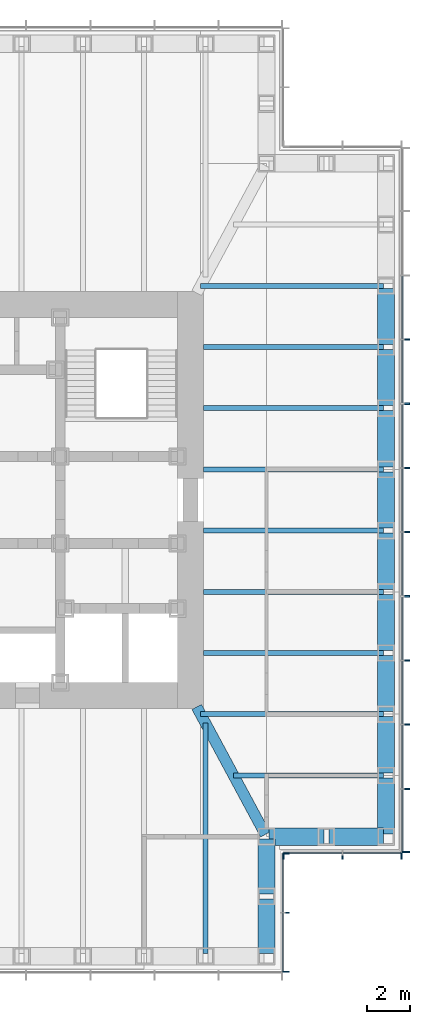
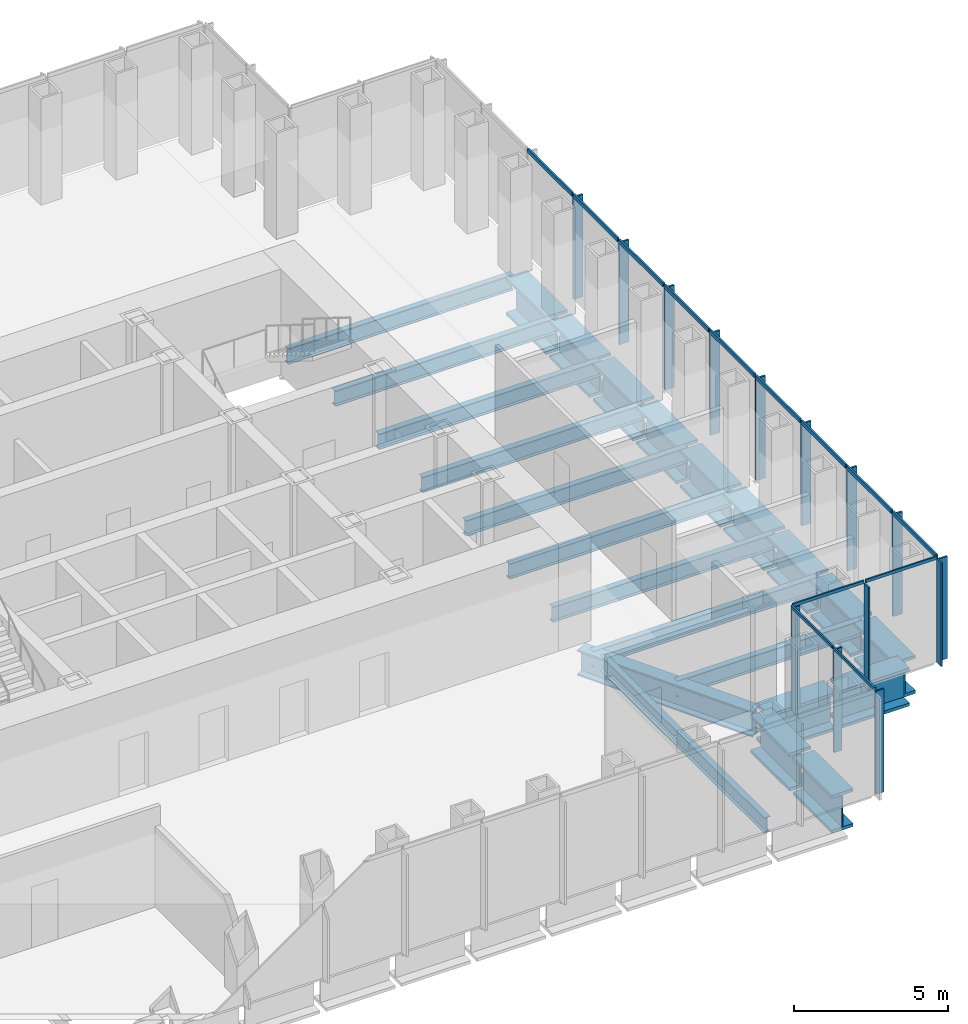
# One storey, part 4 of 16: 28 members, 24 beams, 3 elements without a shape of their own.
"""IFC4 building model written with IfcOpenShell, lengths in metres."""

from ifc_helpers import new_model, si_unit, direction, frame, origin, origin_2d, place, context, subcontext, project, spatial, rectangle, i_section, extrude, material, material_profile, profile_set, type_object, element, aggregate, save


model = new_model("IFC4")

# Units and contexts
model_context = context("Model", 3, precision=1e-05, world=origin(), true_north=direction((0.0, 1.0)))
body_context = subcontext(model_context, "Body", "Model", "MODEL_VIEW")
ifc_project = project(units=[si_unit("LENGTHUNIT", "METRE"), si_unit("AREAUNIT", "SQUARE_METRE"), si_unit("VOLUMEUNIT", "CUBIC_METRE"), si_unit("PLANEANGLEUNIT", "RADIAN"), si_unit("MASSUNIT", "GRAM", prefix="KILO")], contexts=[model_context])

# Site, building, storey
site_placement = place(None, origin())
site = spatial("IfcSite", under=ifc_project, at=site_placement, CompositionType="ELEMENT")
building_placement = place(site_placement, origin())
building = spatial("IfcBuilding", under=site, at=building_placement, Name="Daluyong Arena Tower", CompositionType="ELEMENT")
storey_placement = place(building_placement, frame((0.0, 0.0, 240.10009765625)))
storey = spatial("IfcBuildingStorey", under=building, at=storey_placement, Name="L54", CompositionType="ELEMENT", Elevation=240.10009765625)

# Curtain wall, members
ifc_material_1 = material(Name="Bronze anodised aluminium and glass", Category="aluminium")
curtain_wall_type_1 = type_object("IfcCurtainWallType", Name="Curtain wall CW3", PredefinedType="USERDEFINED", material=ifc_material_1)
curtain_wall_1_placement = place(storey_placement, origin())
curtain_wall_1 = element("IfcCurtainWall", 1, at=curtain_wall_1_placement, inside=storey, type_object=curtain_wall_type_1, Name="curtain wall L54 E", ObjectType="UNITISED CURTAIN WALL", PredefinedType="USERDEFINED")
ifc_material_2 = material(Name="Bronze anodised aluminium fin", Category="aluminium")
ifc_material_profile_1 = material_profile(ifc_material_2, rectangle(XDim=0.35009765625, YDim=0.070068359375, at=origin_2d()))
ifc_profile_set_1 = profile_set([ifc_material_profile_1], Name="Bronze anodised aluminium fin")
member_type_1 = type_object("IfcMemberType", Name="CW3 bronze fin 350x70", PredefinedType="MULLION", material=ifc_profile_set_1)
member_1_placement = place(storey_placement, frame((77.925048828125, 63.784912109375, 0.0), z_axis=(0.0, 0.0, 1.0), x_axis=(-1.0, 0.0, 0.0)))
member_1 = element("IfcMember", 2, at=member_1_placement, type_object=member_type_1, Name="curtain wall L54 E fin 1", PredefinedType="MULLION", context=body_context, shape_type="SweptSolid", body=[
    extrude(rectangle(XDim=0.35009765625, YDim=0.070068359375, at=origin_2d()), origin(), (0.0, 0.0, 1.0), 4.039794921875),
])
member_2_placement = place(storey_placement, frame((77.925048828125, 66.70458984375, 0.0), z_axis=(0.0, 0.0, 1.0), x_axis=(-1.0, 0.0, 0.0)))
member_2 = element("IfcMember", 3, at=member_2_placement, type_object=member_type_1, Name="curtain wall L54 E fin 2", PredefinedType="MULLION", context=body_context, shape_type="SweptSolid", body=[
    extrude(rectangle(XDim=0.35009765625, YDim=0.070068359375, at=origin_2d()), origin(), (0.0, 0.0, 1.0), 4.039794921875),
])
member_3_placement = place(storey_placement, frame((77.925048828125, 69.6591796875, 0.0), z_axis=(0.0, 0.0, 1.0), x_axis=(-1.0, 0.0, 0.0)))
member_3 = element("IfcMember", 4, at=member_3_placement, type_object=member_type_1, Name="curtain wall L54 E fin 3", PredefinedType="MULLION", context=body_context, shape_type="SweptSolid", body=[
    extrude(rectangle(XDim=0.35009765625, YDim=0.070068359375, at=origin_2d()), origin(), (0.0, 0.0, 1.0), 4.039794921875),
])
member_4_placement = place(storey_placement, frame((77.925048828125, 72.613525390625, 0.0), z_axis=(0.0, 0.0, 1.0), x_axis=(-1.0, 0.0, 0.0)))
member_4 = element("IfcMember", 5, at=member_4_placement, type_object=member_type_1, Name="curtain wall L54 E fin 4", PredefinedType="MULLION", context=body_context, shape_type="SweptSolid", body=[
    extrude(rectangle(XDim=0.35009765625, YDim=0.070068359375, at=origin_2d()), origin(), (0.0, 0.0, 1.0), 4.039794921875),
])
member_5_placement = place(storey_placement, frame((77.925048828125, 75.568115234375, 0.0), z_axis=(0.0, 0.0, 1.0), x_axis=(-1.0, 0.0, 0.0)))
member_5 = element("IfcMember", 6, at=member_5_placement, type_object=member_type_1, Name="curtain wall L54 E fin 5", PredefinedType="MULLION", context=body_context, shape_type="SweptSolid", body=[
    extrude(rectangle(XDim=0.35009765625, YDim=0.070068359375, at=origin_2d()), origin(), (0.0, 0.0, 1.0), 4.039794921875),
])
member_6_placement = place(storey_placement, frame((77.925048828125, 78.522705078125, 0.0), z_axis=(0.0, 0.0, 1.0), x_axis=(-1.0, 0.0, 0.0)))
member_6 = element("IfcMember", 7, at=member_6_placement, type_object=member_type_1, Name="curtain wall L54 E fin 6", PredefinedType="MULLION", context=body_context, shape_type="SweptSolid", body=[
    extrude(rectangle(XDim=0.35009765625, YDim=0.070068359375, at=origin_2d()), origin(), (0.0, 0.0, 1.0), 4.039794921875),
])
member_7_placement = place(storey_placement, frame((77.925048828125, 81.477294921875, 0.0), z_axis=(0.0, 0.0, 1.0), x_axis=(-1.0, 0.0, 0.0)))
member_7 = element("IfcMember", 8, at=member_7_placement, type_object=member_type_1, Name="curtain wall L54 E fin 7", PredefinedType="MULLION", context=body_context, shape_type="SweptSolid", body=[
    extrude(rectangle(XDim=0.35009765625, YDim=0.070068359375, at=origin_2d()), origin(), (0.0, 0.0, 1.0), 4.039794921875),
])
member_8_placement = place(storey_placement, frame((77.925048828125, 84.431884765625, 0.0), z_axis=(0.0, 0.0, 1.0), x_axis=(-1.0, 0.0, 0.0)))
member_8 = element("IfcMember", 9, at=member_8_placement, type_object=member_type_1, Name="curtain wall L54 E fin 8", PredefinedType="MULLION", context=body_context, shape_type="SweptSolid", body=[
    extrude(rectangle(XDim=0.35009765625, YDim=0.070068359375, at=origin_2d()), origin(), (0.0, 0.0, 1.0), 4.039794921875),
])
member_9_placement = place(storey_placement, frame((77.925048828125, 87.386474609375, 0.0), z_axis=(0.0, 0.0, 1.0), x_axis=(-1.0, 0.0, 0.0)))
member_9 = element("IfcMember", 10, at=member_9_placement, type_object=member_type_1, Name="curtain wall L54 E fin 9", PredefinedType="MULLION", context=body_context, shape_type="SweptSolid", body=[
    extrude(rectangle(XDim=0.35009765625, YDim=0.070068359375, at=origin_2d()), origin(), (0.0, 0.0, 1.0), 4.039794921875),
])
ifc_material_3 = material(Name="Bronze anodised aluminium", Category="aluminium")
ifc_material_profile_2 = material_profile(ifc_material_3, rectangle(XDim=0.070068359375, YDim=0.159912109375, at=origin_2d()))
ifc_profile_set_2 = profile_set([ifc_material_profile_2], Name="Bronze anodised aluminium")
member_type_2 = type_object("IfcMemberType", Name="CW3 stack transom 160x70", PredefinedType="USERDEFINED", material=ifc_profile_set_2)
member_10_placement = place(storey_placement, frame((77.75, 63.820068359375, 4.119873046875), z_axis=(0.0, 1.0, 0.0), x_axis=(-1.0, 0.0, 0.0)))
member_10 = element("IfcMember", 11, at=member_10_placement, type_object=member_type_2, Name="curtain wall L54 E transom 1", ObjectType="TRANSOM", PredefinedType="USERDEFINED", context=body_context, shape_type="SweptSolid", body=[
    extrude(rectangle(XDim=0.070068359375, YDim=0.159912109375, at=origin_2d()), origin(), (0.0, 0.0, 1.0), 2.849365234375),
])
member_11_placement = place(storey_placement, frame((77.75, 66.739501953125, 4.119873046875), z_axis=(0.0, 1.0, 0.0), x_axis=(-1.0, 0.0, 0.0)))
member_11 = element("IfcMember", 12, at=member_11_placement, type_object=member_type_2, Name="curtain wall L54 E transom 2", ObjectType="TRANSOM", PredefinedType="USERDEFINED", context=body_context, shape_type="SweptSolid", body=[
    extrude(rectangle(XDim=0.070068359375, YDim=0.159912109375, at=origin_2d()), origin(), (0.0, 0.0, 1.0), 2.884521484375),
])
member_12_placement = place(storey_placement, frame((77.75, 69.694091796875, 4.119873046875), z_axis=(0.0, 1.0, 0.0), x_axis=(-1.0, 0.0, 0.0)))
member_12 = element("IfcMember", 13, at=member_12_placement, type_object=member_type_2, Name="curtain wall L54 E transom 3", ObjectType="TRANSOM", PredefinedType="USERDEFINED", context=body_context, shape_type="SweptSolid", body=[
    extrude(rectangle(XDim=0.070068359375, YDim=0.159912109375, at=origin_2d()), origin(), (0.0, 0.0, 1.0), 2.884521484375),
])
member_13_placement = place(storey_placement, frame((77.75, 72.648681640625, 4.119873046875), z_axis=(0.0, 1.0, 0.0), x_axis=(-1.0, 0.0, 0.0)))
member_13 = element("IfcMember", 14, at=member_13_placement, type_object=member_type_2, Name="curtain wall L54 E transom 4", ObjectType="TRANSOM", PredefinedType="USERDEFINED", context=body_context, shape_type="SweptSolid", body=[
    extrude(rectangle(XDim=0.070068359375, YDim=0.159912109375, at=origin_2d()), origin(), (0.0, 0.0, 1.0), 2.884521484375),
])
member_14_placement = place(storey_placement, frame((77.75, 75.603271484375, 4.119873046875), z_axis=(0.0, 1.0, 0.0), x_axis=(-1.0, 0.0, 0.0)))
member_14 = element("IfcMember", 15, at=member_14_placement, type_object=member_type_2, Name="curtain wall L54 E transom 5", ObjectType="TRANSOM", PredefinedType="USERDEFINED", context=body_context, shape_type="SweptSolid", body=[
    extrude(rectangle(XDim=0.070068359375, YDim=0.159912109375, at=origin_2d()), origin(), (0.0, 0.0, 1.0), 2.884521484375),
])
member_15_placement = place(storey_placement, frame((77.75, 78.5576171875, 4.119873046875), z_axis=(0.0, 1.0, 0.0), x_axis=(-1.0, 0.0, 0.0)))
member_15 = element("IfcMember", 16, at=member_15_placement, type_object=member_type_2, Name="curtain wall L54 E transom 6", ObjectType="TRANSOM", PredefinedType="USERDEFINED", context=body_context, shape_type="SweptSolid", body=[
    extrude(rectangle(XDim=0.070068359375, YDim=0.159912109375, at=origin_2d()), origin(), (0.0, 0.0, 1.0), 2.884765625),
])
member_16_placement = place(storey_placement, frame((77.75, 81.51220703125, 4.119873046875), z_axis=(0.0, 1.0, 0.0), x_axis=(-1.0, 0.0, 0.0)))
member_16 = element("IfcMember", 17, at=member_16_placement, type_object=member_type_2, Name="curtain wall L54 E transom 7", ObjectType="TRANSOM", PredefinedType="USERDEFINED", context=body_context, shape_type="SweptSolid", body=[
    extrude(rectangle(XDim=0.070068359375, YDim=0.159912109375, at=origin_2d()), origin(), (0.0, 0.0, 1.0), 2.884521484375),
])
member_17_placement = place(storey_placement, frame((77.75, 84.466796875, 4.119873046875), z_axis=(0.0, 1.0, 0.0), x_axis=(-1.0, 0.0, 0.0)))
member_17 = element("IfcMember", 18, at=member_17_placement, type_object=member_type_2, Name="curtain wall L54 E transom 8", ObjectType="TRANSOM", PredefinedType="USERDEFINED", context=body_context, shape_type="SweptSolid", body=[
    extrude(rectangle(XDim=0.070068359375, YDim=0.159912109375, at=origin_2d()), origin(), (0.0, 0.0, 1.0), 2.884521484375),
])
member_18_placement = place(storey_placement, frame((77.75, 87.42138671875, 4.119873046875), z_axis=(0.0, 1.0, 0.0), x_axis=(-1.0, 0.0, 0.0)))
member_18 = element("IfcMember", 19, at=member_18_placement, type_object=member_type_2, Name="curtain wall L54 E transom 9", ObjectType="TRANSOM", PredefinedType="USERDEFINED", context=body_context, shape_type="SweptSolid", body=[
    extrude(rectangle(XDim=0.070068359375, YDim=0.159912109375, at=origin_2d()), origin(), (0.0, 0.0, 1.0), 2.884521484375),
])
aggregate(curtain_wall_1, [member_1, member_2, member_3, member_4, member_5, member_6, member_7, member_8, member_9, member_10, member_11, member_12, member_13, member_14, member_15, member_16, member_17, member_18])

ifc_material_4 = material(Name="Bronze anodised aluminium and glass", Category="aluminium")
curtain_wall_type_2 = type_object("IfcCurtainWallType", Name="Curtain wall CW7", PredefinedType="USERDEFINED", material=ifc_material_4)
curtain_wall_2_placement = place(storey_placement, origin())
curtain_wall_2 = element("IfcCurtainWall", 20, at=curtain_wall_2_placement, inside=storey, type_object=curtain_wall_type_2, Name="curtain wall L54 SE-E", ObjectType="UNITISED CURTAIN WALL", PredefinedType="USERDEFINED")
ifc_material_5 = material(Name="Bronze anodised aluminium fin", Category="aluminium")
ifc_material_profile_3 = material_profile(ifc_material_5, rectangle(XDim=0.300048828125, YDim=0.06005859375, at=origin_2d()))
ifc_profile_set_3 = profile_set([ifc_material_profile_3], Name="Bronze anodised aluminium fin")
member_type_3 = type_object("IfcMemberType", Name="CW7 bronze fin 300x60", PredefinedType="MULLION", material=ifc_profile_set_3)
member_19_placement = place(storey_placement, frame((72.39990234375, 58.280029296875, 0.0), z_axis=(0.0, 0.0, 1.0), x_axis=(-1.0, 0.0, 0.0)))
member_19 = element("IfcMember", 21, at=member_19_placement, type_object=member_type_3, Name="curtain wall L54 SE-E fin 1", PredefinedType="MULLION", context=body_context, shape_type="SweptSolid", body=[
    extrude(rectangle(XDim=0.300048828125, YDim=0.06005859375, at=origin_2d()), origin(), (0.0, 0.0, 1.0), 4.079833984375),
])
member_20_placement = place(storey_placement, frame((72.39990234375, 61.0, 0.0), z_axis=(0.0, 0.0, 1.0), x_axis=(-1.0, 0.0, 0.0)))
member_20 = element("IfcMember", 22, at=member_20_placement, type_object=member_type_3, Name="curtain wall L54 SE-E fin 2", PredefinedType="MULLION", context=body_context, shape_type="SweptSolid", body=[
    extrude(rectangle(XDim=0.300048828125, YDim=0.06005859375, at=origin_2d()), origin(), (0.0, 0.0, 1.0), 4.079833984375),
])
member_21_placement = place(storey_placement, frame((72.39990234375, 63.719970703125, 0.0), z_axis=(0.0, 0.0, 1.0), x_axis=(-1.0, 0.0, 0.0)))
member_21 = element("IfcMember", 23, at=member_21_placement, type_object=member_type_3, Name="curtain wall L54 SE-E fin 3", PredefinedType="MULLION", context=body_context, shape_type="SweptSolid", body=[
    extrude(rectangle(XDim=0.300048828125, YDim=0.06005859375, at=origin_2d()), origin(), (0.0, 0.0, 1.0), 4.079833984375),
])

curtain_wall_3_placement = place(storey_placement, origin())
curtain_wall_3 = element("IfcCurtainWall", 24, at=curtain_wall_3_placement, inside=storey, type_object=curtain_wall_type_2, Name="curtain wall L54 SE-S", ObjectType="UNITISED CURTAIN WALL", PredefinedType="USERDEFINED")
member_22_placement = place(storey_placement, frame((72.280029296875, 63.60009765625, 0.0), z_axis=(0.0, 0.0, 1.0), x_axis=(0.0, 1.0, 0.0)))
member_22 = element("IfcMember", 25, at=member_22_placement, type_object=member_type_3, Name="curtain wall L54 SE-S fin 1", PredefinedType="MULLION", context=body_context, shape_type="SweptSolid", body=[
    extrude(rectangle(XDim=0.300048828125, YDim=0.06005859375, at=origin_2d()), origin(), (0.0, 0.0, 1.0), 4.079833984375),
])
member_23_placement = place(storey_placement, frame((75.0, 63.60009765625, 0.0), z_axis=(0.0, 0.0, 1.0), x_axis=(0.0, 1.0, 0.0)))
member_23 = element("IfcMember", 26, at=member_23_placement, type_object=member_type_3, Name="curtain wall L54 SE-S fin 2", PredefinedType="MULLION", context=body_context, shape_type="SweptSolid", body=[
    extrude(rectangle(XDim=0.300048828125, YDim=0.06005859375, at=origin_2d()), origin(), (0.0, 0.0, 1.0), 4.079833984375),
])
member_24_placement = place(storey_placement, frame((77.719970703125, 63.60009765625, 0.0), z_axis=(0.0, 0.0, 1.0), x_axis=(0.0, 1.0, 0.0)))
member_24 = element("IfcMember", 27, at=member_24_placement, type_object=member_type_3, Name="curtain wall L54 SE-S fin 3", PredefinedType="MULLION", context=body_context, shape_type="SweptSolid", body=[
    extrude(rectangle(XDim=0.300048828125, YDim=0.06005859375, at=origin_2d()), origin(), (0.0, 0.0, 1.0), 4.079833984375),
])

# Member
ifc_material_6 = material(Name="Bronze anodised aluminium", Category="aluminium")
ifc_material_profile_4 = material_profile(ifc_material_6, rectangle(XDim=0.06005859375, YDim=0.1201171875, at=origin_2d()))
ifc_profile_set_4 = profile_set([ifc_material_profile_4], Name="Bronze anodised aluminium")
member_type_4 = type_object("IfcMemberType", Name="CW7 stack transom 120x60", PredefinedType="USERDEFINED", material=ifc_profile_set_4)
member_25_placement = place(storey_placement, frame((72.25, 58.31005859375, 4.139892578125), z_axis=(0.0, 1.0, 0.0), x_axis=(-1.0, 0.0, 0.0)))
member_25 = element("IfcMember", 28, at=member_25_placement, type_object=member_type_4, Name="curtain wall L54 SE-E transom 1", ObjectType="TRANSOM", PredefinedType="USERDEFINED", context=body_context, shape_type="SweptSolid", body=[
    extrude(rectangle(XDim=0.06005859375, YDim=0.1201171875, at=origin_2d()), origin(), (0.0, 0.0, 1.0), 2.659912109375),
])

member_26_placement = place(storey_placement, frame((72.25, 61.030029296875, 4.139892578125), z_axis=(0.0, 1.0, 0.0), x_axis=(-1.0, 0.0, 0.0)))
member_26 = element("IfcMember", 29, at=member_26_placement, type_object=member_type_4, Name="curtain wall L54 SE-E transom 2", ObjectType="TRANSOM", PredefinedType="USERDEFINED", context=body_context, shape_type="SweptSolid", body=[
    extrude(rectangle(XDim=0.06005859375, YDim=0.1201171875, at=origin_2d()), origin(), (0.0, 0.0, 1.0), 2.659912109375),
])

aggregate(curtain_wall_2, [member_19, member_20, member_21, member_25, member_26])

member_27_placement = place(storey_placement, frame((72.31005859375, 63.75, 4.139892578125), z_axis=(1.0, 0.0, 0.0), x_axis=(0.0, 1.0, 0.0)))
member_27 = element("IfcMember", 30, at=member_27_placement, type_object=member_type_4, Name="curtain wall L54 SE-S transom 1", ObjectType="TRANSOM", PredefinedType="USERDEFINED", context=body_context, shape_type="SweptSolid", body=[
    extrude(rectangle(XDim=0.06005859375, YDim=0.1201171875, at=origin_2d()), origin(), (0.0, 0.0, 1.0), 2.659912109375),
])

member_28_placement = place(storey_placement, frame((75.030029296875, 63.75, 4.139892578125), z_axis=(1.0, 0.0, 0.0), x_axis=(0.0, 1.0, 0.0)))
member_28 = element("IfcMember", 31, at=member_28_placement, type_object=member_type_4, Name="curtain wall L54 SE-S transom 2", ObjectType="TRANSOM", PredefinedType="USERDEFINED", context=body_context, shape_type="SweptSolid", body=[
    extrude(rectangle(XDim=0.06005859375, YDim=0.1201171875, at=origin_2d()), origin(), (0.0, 0.0, 1.0), 2.659912109375),
])

aggregate(curtain_wall_3, [member_22, member_23, member_24, member_27, member_28])

# Beams
ifc_material_7 = material(Name="Steel ASTM A572 Grade 50", Category="steel")
ifc_material_profile_5 = material_profile(ifc_material_7, i_section(OverallWidth=0.5, OverallDepth=1.0, WebThickness=0.03, FlangeThickness=0.06, at=origin_2d()))
ifc_profile_set_5 = profile_set([ifc_material_profile_5], Name="Steel ASTM A572 Grade 50")
beam_type_1 = type_object("IfcBeamType", Name="Corner girder TB1000X500", PredefinedType="BEAM", material=ifc_profile_set_5)
beam_1_placement = place(storey_placement, frame((71.445556640625, 64.601318359375, -0.66015625), z_axis=(-0.474119475266, 0.880460517669, 0.0), x_axis=(-0.880460517669, -0.474119475266, 0.0)))
element("IfcBeam", 32, at=beam_1_placement, inside=storey, type_object=beam_type_1, Name="corner girder DG2", PredefinedType="BEAM", context=body_context, shape_type="SweptSolid", body=[
    extrude(i_section(OverallWidth=0.5, OverallDepth=1.0, WebThickness=0.03, FlangeThickness=0.06, at=origin_2d()), origin(), (0.0, 0.0, 1.0), 6.66748046875),
])
ifc_material_8 = material(Name="Steel ASTM A992 Grade 50", Category="steel")
ifc_material_profile_6 = material_profile(ifc_material_8, i_section(OverallWidth=0.22900390625, OverallDepth=0.612060546875, WebThickness=0.011962890625, FlangeThickness=0.01953125, at=origin_2d()))
ifc_profile_set_6 = profile_set([ifc_material_profile_6], Name="Steel ASTM A992 Grade 50")
beam_type_2 = type_object("IfcBeamType", Name="Floor beam W24X84", PredefinedType="BEAM", material=ifc_profile_set_6)
beam_2_placement = place(storey_placement, frame((68.681884765625, 59.114990234375, -0.466064453125), z_axis=(0.0, 1.0, 0.0), x_axis=(-1.0, 0.0, 0.0)))
element("IfcBeam", 33, at=beam_2_placement, inside=storey, type_object=beam_type_2, Name="floor beam FB3", PredefinedType="BEAM", context=body_context, shape_type="SweptSolid", body=[
    extrude(i_section(OverallWidth=0.22900390625, OverallDepth=0.612060546875, WebThickness=0.011962890625, FlangeThickness=0.01953125, at=origin_2d()), origin(), (0.0, 0.0, 1.0), 10.618896484375),
])
beam_3_placement = place(storey_placement, frame((76.885009765625, 67.318115234375, -0.466064453125), z_axis=(-1.0, 0.0, 0.0), x_axis=(0.0, -1.0, 0.0)))
element("IfcBeam", 34, at=beam_3_placement, inside=storey, type_object=beam_type_2, Name="floor beam FB3", PredefinedType="BEAM", context=body_context, shape_type="SweptSolid", body=[
    extrude(i_section(OverallWidth=0.22900390625, OverallDepth=0.612060546875, WebThickness=0.011962890625, FlangeThickness=0.01953125, at=origin_2d()), origin(), (0.0, 0.0, 1.0), 6.902587890625),
])
beam_4_placement = place(storey_placement, frame((76.885009765625, 70.136474609375, -0.466064453125), z_axis=(-1.0, 0.0, 0.0), x_axis=(0.0, -1.0, 0.0)))
element("IfcBeam", 35, at=beam_4_placement, inside=storey, type_object=beam_type_2, Name="floor beam FB3", PredefinedType="BEAM", context=body_context, shape_type="SweptSolid", body=[
    extrude(i_section(OverallWidth=0.22900390625, OverallDepth=0.612060546875, WebThickness=0.011962890625, FlangeThickness=0.01953125, at=origin_2d()), origin(), (0.0, 0.0, 1.0), 8.419921875),
])
for number, where, z_axis, x_axis, name in (
    (36, (76.885009765625, 72.95458984375, -0.466064453125), (-1.0, 0.0, 0.0), (0.0, -1.0, 0.0), "floor beam FB3"),
    (37, (76.885009765625, 75.772705078125, -0.466064453125), (-1.0, 0.0, 0.0), (0.0, -1.0, 0.0), "floor beam FB3"),
    (38, (76.885009765625, 78.5908203125, -0.466064453125), (-1.0, 0.0, 0.0), (0.0, -1.0, 0.0), "floor beam FB3"),
    (39, (76.885009765625, 81.4091796875, -0.466064453125), (-1.0, 0.0, 0.0), (0.0, -1.0, 0.0), "floor beam FB3"),
    (40, (76.885009765625, 84.227294921875, -0.466064453125), (-1.0, 0.0, 0.0), (0.0, -1.0, 0.0), "floor beam FB3"),
    (41, (76.885009765625, 87.04541015625, -0.466064453125), (-1.0, 0.0, 0.0), (0.0, -1.0, 0.0), "floor beam FB3"),
):
    element("IfcBeam", number, at=place(storey_placement, frame(where, z_axis=z_axis, x_axis=x_axis)), inside=storey, type_object=beam_type_2, Name=name, PredefinedType="BEAM", context=body_context, shape_type="SweptSolid", body=[
        extrude(i_section(OverallWidth=0.22900390625, OverallDepth=0.612060546875, WebThickness=0.011962890625, FlangeThickness=0.01953125, at=origin_2d()), origin(), (0.0, 0.0, 1.0), 8.284912109375),
    ])
beam_5_placement = place(storey_placement, frame((76.885009765625, 89.863525390625, -0.466064453125), z_axis=(-1.0, 0.0, 0.0), x_axis=(0.0, -1.0, 0.0)))
element("IfcBeam", 42, at=beam_5_placement, inside=storey, type_object=beam_type_2, Name="floor beam FB3", PredefinedType="BEAM", context=body_context, shape_type="SweptSolid", body=[
    extrude(i_section(OverallWidth=0.22900390625, OverallDepth=0.612060546875, WebThickness=0.011962890625, FlangeThickness=0.01953125, at=origin_2d()), origin(), (0.0, 0.0, 1.0), 8.419921875),
])
ifc_material_9 = material(Name="Steel ASTM A588 Grade 50", Category="steel")
ifc_material_profile_7 = material_profile(ifc_material_9, i_section(OverallWidth=0.800048828125, OverallDepth=1.5, WebThickness=0.05, FlangeThickness=0.12, at=origin_2d()))
ifc_profile_set_7 = profile_set([ifc_material_profile_7], Name="Steel ASTM A588 Grade 50")
beam_type_3 = type_object("IfcBeamType", Name="Spandrel Z3 PG1500X800", PredefinedType="SPANDREL", material=ifc_profile_set_7)
for number, where, z_axis, x_axis, name in (
    (43, (71.5, 59.114990234375, -0.91015625), (0.0, 1.0, 0.0), (-1.0, 0.0, 0.0), "spandrel z3 SB7"),
    (44, (71.5, 61.864990234375, -0.91015625), (0.0, 1.0, 0.0), (-1.0, 0.0, 0.0), "spandrel z3 SB7"),
    (45, (71.614990234375, 64.5, -0.91015625), (1.0, 0.0, 0.0), (0.0, 1.0, 0.0), "spandrel z3 SB7"),
    (46, (74.364990234375, 64.5, -0.91015625), (1.0, 0.0, 0.0), (0.0, 1.0, 0.0), "spandrel z3 SB7"),
):
    element("IfcBeam", number, at=place(storey_placement, frame(where, z_axis=z_axis, x_axis=x_axis)), inside=storey, type_object=beam_type_3, Name=name, PredefinedType="SPANDREL", context=body_context, shape_type="SweptSolid", body=[
        extrude(i_section(OverallWidth=0.800048828125, OverallDepth=1.5, WebThickness=0.05, FlangeThickness=0.12, at=origin_2d()), origin(), (0.0, 0.0, 1.0), 2.52001953125),
    ])
beam_6_placement = place(storey_placement, frame((77.0, 64.614990234375, -0.91015625), z_axis=(0.0, 1.0, 0.0), x_axis=(-1.0, 0.0, 0.0)))
element("IfcBeam", 47, at=beam_6_placement, inside=storey, type_object=beam_type_3, Name="spandrel z3 SB7", PredefinedType="SPANDREL", context=body_context, shape_type="SweptSolid", body=[
    extrude(i_section(OverallWidth=0.800048828125, OverallDepth=1.5, WebThickness=0.05, FlangeThickness=0.12, at=origin_2d()), origin(), (0.0, 0.0, 1.0), 2.588134765625),
])
beam_7_placement = place(storey_placement, frame((77.0, 67.43310546875, -0.91015625), z_axis=(0.0, 1.0, 0.0), x_axis=(-1.0, 0.0, 0.0)))
element("IfcBeam", 48, at=beam_7_placement, inside=storey, type_object=beam_type_3, Name="spandrel z3 SB7", PredefinedType="SPANDREL", context=body_context, shape_type="SweptSolid", body=[
    extrude(i_section(OverallWidth=0.800048828125, OverallDepth=1.5, WebThickness=0.05, FlangeThickness=0.12, at=origin_2d()), origin(), (0.0, 0.0, 1.0), 2.58837890625),
])
for number, where, z_axis, x_axis, name in (
    (49, (77.0, 70.25146484375, -0.91015625), (0.0, 1.0, 0.0), (-1.0, 0.0, 0.0), "spandrel z3 SB7"),
    (50, (77.0, 73.069580078125, -0.91015625), (0.0, 1.0, 0.0), (-1.0, 0.0, 0.0), "spandrel z3 SB7"),
    (51, (77.0, 75.8876953125, -0.91015625), (0.0, 1.0, 0.0), (-1.0, 0.0, 0.0), "spandrel z3 SB7"),
):
    element("IfcBeam", number, at=place(storey_placement, frame(where, z_axis=z_axis, x_axis=x_axis)), inside=storey, type_object=beam_type_3, Name=name, PredefinedType="SPANDREL", context=body_context, shape_type="SweptSolid", body=[
        extrude(i_section(OverallWidth=0.800048828125, OverallDepth=1.5, WebThickness=0.05, FlangeThickness=0.12, at=origin_2d()), origin(), (0.0, 0.0, 1.0), 2.588134765625),
    ])
beam_8_placement = place(storey_placement, frame((77.0, 78.705810546875, -0.91015625), z_axis=(0.0, 1.0, 0.0), x_axis=(-1.0, 0.0, 0.0)))
element("IfcBeam", 52, at=beam_8_placement, inside=storey, type_object=beam_type_3, Name="spandrel z3 SB7", PredefinedType="SPANDREL", context=body_context, shape_type="SweptSolid", body=[
    extrude(i_section(OverallWidth=0.800048828125, OverallDepth=1.5, WebThickness=0.05, FlangeThickness=0.12, at=origin_2d()), origin(), (0.0, 0.0, 1.0), 2.58837890625),
])
for number, where, z_axis, x_axis, name in (
    (53, (77.0, 81.524169921875, -0.91015625), (0.0, 1.0, 0.0), (-1.0, 0.0, 0.0), "spandrel z3 SB7"),
    (54, (77.0, 84.34228515625, -0.91015625), (0.0, 1.0, 0.0), (-1.0, 0.0, 0.0), "spandrel z3 SB7"),
    (55, (77.0, 87.160400390625, -0.91015625), (0.0, 1.0, 0.0), (-1.0, 0.0, 0.0), "spandrel z3 SB7"),
):
    element("IfcBeam", number, at=place(storey_placement, frame(where, z_axis=z_axis, x_axis=x_axis)), inside=storey, type_object=beam_type_3, Name=name, PredefinedType="SPANDREL", context=body_context, shape_type="SweptSolid", body=[
        extrude(i_section(OverallWidth=0.800048828125, OverallDepth=1.5, WebThickness=0.05, FlangeThickness=0.12, at=origin_2d()), origin(), (0.0, 0.0, 1.0), 2.588134765625),
    ])

save(model, "model.ifc")
